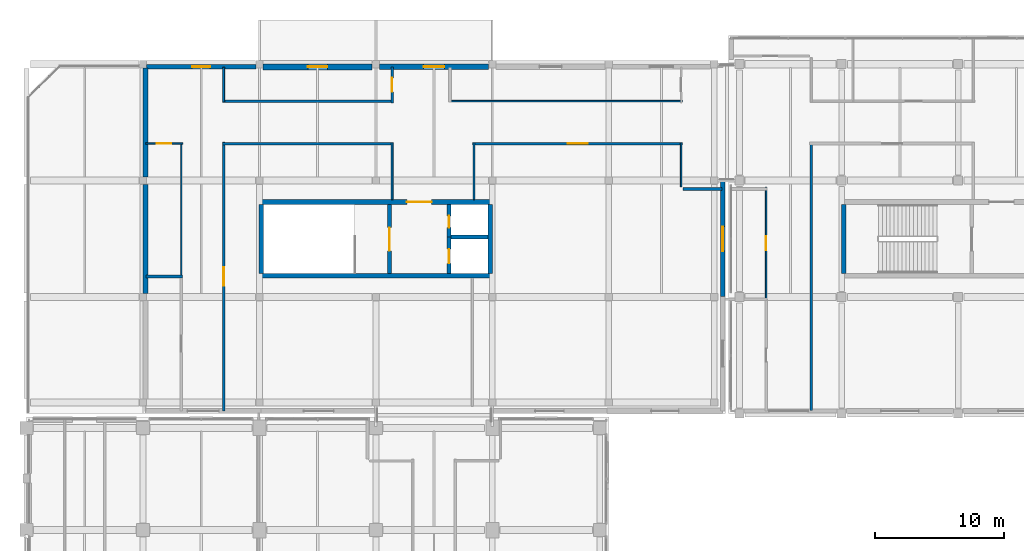
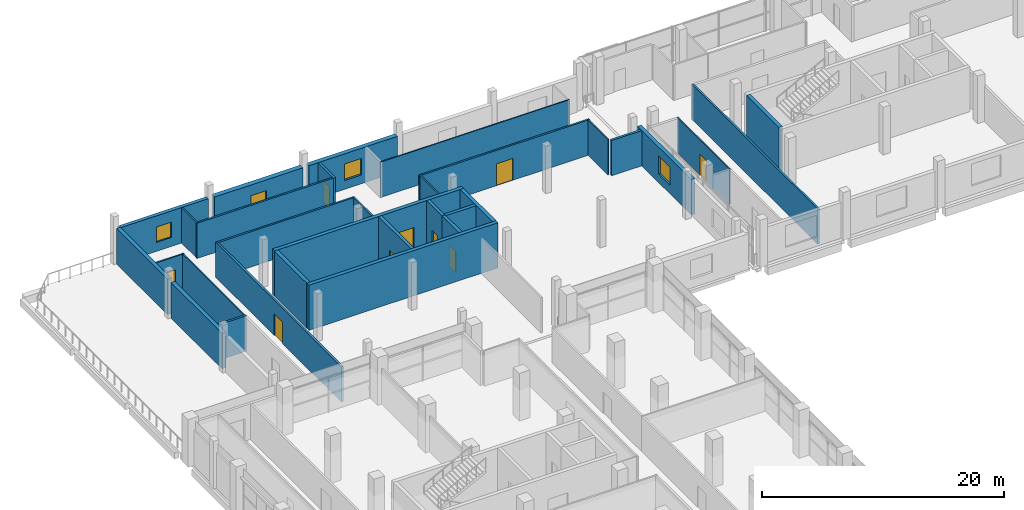
# One storey, part 82 of 111: 31 walls, 9 doors, 4 windows, 13 openings.
"""IFC4 building model written with IfcOpenShell, lengths in metres."""

from ifc_helpers import new_model, si_unit, direction, frame, frame_2d, origin, place, context, subcontext, project, spatial, rectangle, extrude, material, layer, layer_set, type_object, element, fill, save


model = new_model("IFC4")

# Units and contexts
model_context = context("Model", 3, precision=1e-05, world=origin(), true_north=direction((0.0, 1.0)))
body_context = subcontext(model_context, "Body", "Model", "MODEL_VIEW")
ifc_project = project(units=[si_unit("LENGTHUNIT", "METRE"), si_unit("AREAUNIT", "SQUARE_METRE"), si_unit("VOLUMEUNIT", "CUBIC_METRE"), si_unit("PLANEANGLEUNIT", "RADIAN"), si_unit("MASSUNIT", "GRAM", prefix="KILO"), si_unit("THERMODYNAMICTEMPERATUREUNIT", "KELVIN"), si_unit("POWERUNIT", "WATT")], contexts=[model_context])

# Site, building, storey
site_placement = place(None, origin())
site = spatial("IfcSite", under=ifc_project, at=site_placement, CompositionType="ELEMENT")
building_placement = place(site_placement, origin())
building = spatial("IfcBuilding", under=site, at=building_placement, Name="Sindhuravela Promenade Stadium", CompositionType="ELEMENT")
storey_placement = place(building_placement, frame((0.0, 0.0, 9.60009765625)))
storey = spatial("IfcBuildingStorey", under=building, at=storey_placement, Name="L02", CompositionType="ELEMENT", Elevation=9.60009765625)

# Wall, opening, window
ifc_material_1 = material(Name="Terracotta clay brick masonry (15 MPa)", Category="masonry")
ifc_layer_1 = layer(ifc_material_1, 0.340087890625)
ifc_layer_set_1 = layer_set([ifc_layer_1], Name="Terracotta clay brick masonry (15 MPa)")
wall_type_1 = type_object("IfcWallType", Name="EX-WL-BRK340", PredefinedType="SOLIDWALL", material=ifc_layer_set_1)
wall_1_placement = place(storey_placement, frame((9.280029296875, 152.800048828125, 0.0), z_axis=(0.0, 0.0, 1.0), x_axis=(1.0, 0.0, 0.0)))
wall_1 = element("IfcWall", 1, at=wall_1_placement, inside=storey, type_object=wall_type_1, Name="Exterior masonry wall EW06 Pavilion NW L02", PredefinedType="SOLIDWALL", context=body_context, shape_type="SweptSolid", body=[
    extrude(rectangle(XDim=8.43994140625, YDim=0.340087890625, at=frame_2d((4.219970703125, 0.0))), origin(), (0.0, 0.0, 1.0), 3.579833984375),
])
opening_1_placement = place(wall_1_placement, frame((3.52001953125, 0.0, 0.89990234375)))
opening_1 = element("IfcOpeningElement", 2, at=opening_1_placement, cuts=wall_1, Name="Opening W04", PredefinedType="OPENING", context=body_context, shape_type="SweptSolid", body=[
    extrude(rectangle(XDim=1.39990234375, YDim=1.550048828125, at=frame_2d((0.699951171875, 0.77490234375))), frame((0.0, 0.179931640625, 0.0), z_axis=(0.0, -1.0, 0.0), x_axis=(1.0, 0.0, 0.0)), (0.0, 0.0, 1.0), 0.360107421875),
])
ifc_material_2 = material(Name="Tempered laminated low-E glass", Category="glass")
window_type_1 = type_object("IfcWindowType", Name="WN-FAC-1400x1550", PartitioningType="SINGLE_PANEL", PredefinedType="WINDOW", material=ifc_material_2)
window_1_placement = place(opening_1_placement, origin())
window_1 = element("IfcWindow", 3, at=window_1_placement, inside=storey, type_object=window_type_1, Name="Window W04 Pavilion NW L02", OverallHeight=1.550048828125, OverallWidth=1.39990234375, PartitioningType="SINGLE_PANEL", PredefinedType="WINDOW", context=body_context, shape_type="SweptSolid", body=[
    extrude(rectangle(XDim=1.39990234375, YDim=1.550048828125, at=frame_2d((0.699951171875, 0.77490234375))), frame((0.0, 0.030029296875, 0.0), z_axis=(0.0, -1.0, 0.0), x_axis=(1.0, 0.0, 0.0)), (0.0, 0.0, 1.0), 0.06005859375),
])
fill(opening_1, window_1)

# Wall
ifc_layer_2 = layer(ifc_material_1, 0.360107421875)
ifc_layer_set_2 = layer_set([ifc_layer_2], Name="Terracotta clay brick masonry (15 MPa)")
wall_type_2 = type_object("IfcWallType", Name="EX-WL-BRK360", PredefinedType="SOLIDWALL", material=ifc_layer_set_2)
wall_2_placement = place(storey_placement, frame((9.199951171875, 144.280029296875, 0.0), z_axis=(0.0, 0.0, 1.0), x_axis=(0.0, 1.0, 0.0)))
element("IfcWall", 4, at=wall_2_placement, inside=storey, type_object=wall_type_2, Name="Exterior masonry wall EW05 Pavilion NW L02", PredefinedType="SOLIDWALL", context=body_context, shape_type="SweptSolid", body=[
    extrude(rectangle(XDim=8.43994140625, YDim=0.360107421875, at=frame_2d((4.219970703125, 0.0))), origin(), (0.0, 0.0, 1.0), 3.579833984375),
])

# Wall, opening, window
wall_3_placement = place(storey_placement, frame((53.800048828125, 143.933349609375, 0.0), z_axis=(0.0, 0.0, 1.0), x_axis=(0.0, -1.0, 0.0)))
wall_3 = element("IfcWall", 5, at=wall_3_placement, inside=storey, type_object=wall_type_2, Name="Exterior masonry wall EW05 Pavilion NW L02", PredefinedType="SOLIDWALL", context=body_context, shape_type="SweptSolid", body=[
    extrude(rectangle(XDim=8.86669921875, YDim=0.360107421875, at=frame_2d((4.433349609375, 0.0))), origin(), (0.0, 0.0, 1.0), 3.579833984375),
])
opening_2_placement = place(wall_3_placement, frame((3.4833984375, 0.0, 0.89990234375)))
opening_2 = element("IfcOpeningElement", 6, at=opening_2_placement, cuts=wall_3, Name="Opening W09", PredefinedType="OPENING", context=body_context, shape_type="SweptSolid", body=[
    extrude(rectangle(XDim=1.89990234375, YDim=1.800048828125, at=frame_2d((0.949951171875, 0.89990234375))), frame((0.0, 0.18994140625, 0.0), z_axis=(0.0, -1.0, 0.0), x_axis=(1.0, 0.0, 0.0)), (0.0, 0.0, 1.0), 0.380126953125),
])
window_type_2 = type_object("IfcWindowType", Name="WN-FAC-1900x1800", PartitioningType="DOUBLE_PANEL_VERTICAL", PredefinedType="WINDOW", material=ifc_material_2)
window_2_placement = place(opening_2_placement, origin())
window_2 = element("IfcWindow", 7, at=window_2_placement, inside=storey, type_object=window_type_2, Name="Window W09 Pavilion NW L02", OverallHeight=1.800048828125, OverallWidth=1.89990234375, PartitioningType="DOUBLE_PANEL_VERTICAL", PredefinedType="WINDOW", context=body_context, shape_type="SweptSolid", body=[
    extrude(rectangle(XDim=1.89990234375, YDim=1.800048828125, at=frame_2d((0.949951171875, 0.89990234375))), frame((0.0, 0.030029296875, 0.0), z_axis=(0.0, -1.0, 0.0), x_axis=(1.0, 0.0, 0.0)), (0.0, 0.0, 1.0), 0.06005859375),
])
fill(opening_2, window_2)

# Wall
ifc_layer_3 = layer(ifc_material_1, 0.3798828125)
ifc_layer_set_3 = layer_set([ifc_layer_3], Name="Terracotta clay brick masonry (15 MPa)")
wall_type_3 = type_object("IfcWallType", Name="EX-WL-BRK380", PredefinedType="SOLIDWALL", material=ifc_layer_set_3)
wall_4_placement = place(storey_placement, frame((9.199951171875, 135.280029296875, 0.0), z_axis=(0.0, 0.0, 1.0), x_axis=(0.0, 1.0, 0.0)))
element("IfcWall", 8, at=wall_4_placement, inside=storey, type_object=wall_type_3, Name="Exterior masonry wall EW04 Pavilion NW L02", PredefinedType="SOLIDWALL", context=body_context, shape_type="SweptSolid", body=[
    extrude(rectangle(XDim=8.43994140625, YDim=0.3798828125, at=frame_2d((4.219970703125, 0.0))), origin(), (0.0, 0.0, 1.0), 3.579833984375),
])

# Wall, opening, window
ifc_layer_4 = layer(ifc_material_1, 0.419921875)
ifc_layer_set_4 = layer_set([ifc_layer_4], Name="Terracotta clay brick masonry (15 MPa)")
wall_type_4 = type_object("IfcWallType", Name="EX-WL-BRK420", PredefinedType="SOLIDWALL", material=ifc_layer_set_4)
wall_5_placement = place(storey_placement, frame((27.280029296875, 152.800048828125, 0.0), z_axis=(0.0, 0.0, 1.0), x_axis=(1.0, 0.0, 0.0)))
wall_5 = element("IfcWall", 9, at=wall_5_placement, inside=storey, type_object=wall_type_4, Name="Exterior masonry wall EW02 Pavilion NW L02", PredefinedType="SOLIDWALL", context=body_context, shape_type="SweptSolid", body=[
    extrude(rectangle(XDim=8.43994140625, YDim=0.419921875, at=frame_2d((4.219970703125, 0.0))), origin(), (0.0, 0.0, 1.0), 3.579833984375),
])
opening_3_placement = place(wall_5_placement, frame((3.419921875, 0.0, 0.89990234375)))
opening_3 = element("IfcOpeningElement", 10, at=opening_3_placement, cuts=wall_5, Name="Opening W06", PredefinedType="OPENING", context=body_context, shape_type="SweptSolid", body=[
    extrude(rectangle(XDim=1.60009765625, YDim=1.64990234375, at=frame_2d((0.800048828125, 0.824951171875))), frame((0.0, 0.219970703125, 0.0), z_axis=(0.0, -1.0, 0.0), x_axis=(1.0, 0.0, 0.0)), (0.0, 0.0, 1.0), 0.43994140625),
])
window_type_3 = type_object("IfcWindowType", Name="WN-FAC-1600x1650", PartitioningType="SINGLE_PANEL", PredefinedType="WINDOW", material=ifc_material_2)
window_3_placement = place(opening_3_placement, origin())
window_3 = element("IfcWindow", 11, at=window_3_placement, inside=storey, type_object=window_type_3, Name="Window W06 Pavilion NW L02", OverallHeight=1.64990234375, OverallWidth=1.60009765625, PartitioningType="SINGLE_PANEL", PredefinedType="WINDOW", context=body_context, shape_type="SweptSolid", body=[
    extrude(rectangle(XDim=1.60009765625, YDim=1.64990234375, at=frame_2d((0.800048828125, 0.824951171875))), frame((0.0, 0.030029296875, 0.0), z_axis=(0.0, -1.0, 0.0), x_axis=(1.0, 0.0, 0.0)), (0.0, 0.0, 1.0), 0.06005859375),
])
fill(opening_3, window_3)

ifc_layer_5 = layer(ifc_material_1, 0.4599609375)
ifc_layer_set_5 = layer_set([ifc_layer_5], Name="Terracotta clay brick masonry (15 MPa)")
wall_type_5 = type_object("IfcWallType", Name="EX-WL-BRK460", PredefinedType="SOLIDWALL", material=ifc_layer_set_5)
wall_6_placement = place(storey_placement, frame((18.280029296875, 152.800048828125, 0.0), z_axis=(0.0, 0.0, 1.0), x_axis=(1.0, 0.0, 0.0)))
wall_6 = element("IfcWall", 12, at=wall_6_placement, inside=storey, type_object=wall_type_5, Name="Exterior masonry wall EW01 Pavilion NW L02", PredefinedType="SOLIDWALL", context=body_context, shape_type="SweptSolid", body=[
    extrude(rectangle(XDim=8.43994140625, YDim=0.4599609375, at=frame_2d((4.219970703125, 0.0))), origin(), (0.0, 0.0, 1.0), 3.579833984375),
])
opening_4_placement = place(wall_6_placement, frame((3.469970703125, 0.0, 0.89990234375)))
opening_4 = element("IfcOpeningElement", 13, at=opening_4_placement, cuts=wall_6, Name="Opening W05", PredefinedType="OPENING", context=body_context, shape_type="SweptSolid", body=[
    extrude(rectangle(XDim=1.5, YDim=1.60009765625, at=frame_2d((0.75, 0.800048828125))), frame((0.0, 0.239990234375, 0.0), z_axis=(0.0, -1.0, 0.0), x_axis=(1.0, 0.0, 0.0)), (0.0, 0.0, 1.0), 0.47998046875),
])
window_type_4 = type_object("IfcWindowType", Name="WN-FAC-1500x1600", PartitioningType="SINGLE_PANEL", PredefinedType="WINDOW", material=ifc_material_2)
window_4_placement = place(opening_4_placement, origin())
window_4 = element("IfcWindow", 14, at=window_4_placement, inside=storey, type_object=window_type_4, Name="Window W05 Pavilion NW L02", OverallHeight=1.60009765625, OverallWidth=1.5, PartitioningType="SINGLE_PANEL", PredefinedType="WINDOW", context=body_context, shape_type="SweptSolid", body=[
    extrude(rectangle(XDim=1.5, YDim=1.60009765625, at=frame_2d((0.75, 0.800048828125))), frame((0.0, 0.030029296875, 0.0), z_axis=(0.0, -1.0, 0.0), x_axis=(1.0, 0.0, 0.0)), (0.0, 0.0, 1.0), 0.06005859375),
])
fill(opening_4, window_4)

# Wall, opening, door
ifc_material_3 = material(Name="Fire-rated gypsum partition board", Category="gypsum")
ifc_layer_6 = layer(ifc_material_3, 0.110107421875)
ifc_layer_set_6 = layer_set([ifc_layer_6], Name="Fire-rated gypsum partition board")
wall_type_6 = type_object("IfcWallType", Name="IN-WL-PAR110", PredefinedType="PARTITIONING", material=ifc_layer_set_6)
wall_7_placement = place(storey_placement, frame((57.159912109375, 134.840087890625, 0.0), z_axis=(0.0, 0.0, 1.0), x_axis=(0.0, 1.0, 0.0)))
wall_7 = element("IfcWall", 15, at=wall_7_placement, inside=storey, type_object=wall_type_6, Name="Corridor partition IW06 North Supporters Concourse Ring 8", PredefinedType="PARTITIONING", context=body_context, shape_type="SweptSolid", body=[
    extrude(rectangle(XDim=8.639892578125, YDim=0.110107421875, at=frame_2d((4.31982421875, 0.0))), origin(), (0.0, 0.0, 1.0), 3.559814453125),
])
opening_5_placement = place(wall_7_placement, frame((3.794921875, 0.0, 0.0)))
opening_5 = element("IfcOpeningElement", 16, at=opening_5_placement, cuts=wall_7, Name="Opening ID07", PredefinedType="OPENING", context=body_context, shape_type="SweptSolid", body=[
    extrude(rectangle(XDim=1.050048828125, YDim=2.10009765625, at=frame_2d((0.52490234375, 1.050048828125))), frame((0.0, 0.06494140625, 0.0), z_axis=(0.0, -1.0, 0.0), x_axis=(1.0, 0.0, 0.0)), (0.0, 0.0, 1.0), 0.130126953125),
])
ifc_material_4 = material(Name="Architectural teak timber leaf", Category="wood")
door_type_1 = type_object("IfcDoorType", Name="DR-INT-1050x2100", OperationType="NOTDEFINED", PredefinedType="DOOR", material=ifc_material_4)
door_1_placement = place(opening_5_placement, origin())
door_1 = element("IfcDoor", 17, at=door_1_placement, inside=storey, type_object=door_type_1, Name="North Supporters Concourse Ring 8 door", OperationType="SINGLE_SWING_RIGHT", OverallHeight=2.10009765625, OverallWidth=1.050048828125, PredefinedType="DOOR", context=body_context, shape_type="SweptSolid", body=[
    extrude(rectangle(XDim=1.050048828125, YDim=2.10009765625, at=frame_2d((0.52490234375, 1.050048828125))), frame((0.0, 0.02490234375, 0.0), z_axis=(0.0, -1.0, 0.0), x_axis=(1.0, 0.0, 0.0)), (0.0, 0.0, 1.0), 0.050048828125),
])
fill(opening_5, door_1)

# Walls
wall_8_placement = place(storey_placement, frame((50.590087890625, 146.93994140625, 0.0), z_axis=(0.0, 0.0, 1.0), x_axis=(0.0, -1.0, 0.0)))
element("IfcWall", 18, at=wall_8_placement, inside=storey, type_object=wall_type_6, Name="Interior partition IW06 Pavilion NW L02", PredefinedType="PARTITIONING", context=body_context, shape_type="SweptSolid", body=[
    extrude(rectangle(XDim=3.419921875, YDim=0.110107421875, at=frame_2d((1.7099609375, 0.0))), origin(), (0.0, 0.0, 1.0), 3.559814453125),
])
wall_9_placement = place(storey_placement, frame((50.669921875, 150.139892578125, 0.0), z_axis=(0.0, 0.0, 1.0), x_axis=(-1.0, 0.0, 0.0)))
element("IfcWall", 19, at=wall_9_placement, inside=storey, type_object=wall_type_6, Name="Interior partition IW06 Pavilion NW L02", PredefinedType="PARTITIONING", context=body_context, shape_type="SweptSolid", body=[
    extrude(rectangle(XDim=18.010009765625, YDim=0.110107421875, at=frame_2d((9.0048828125, 0.0))), origin(), (0.0, 0.0, 1.0), 3.559814453125),
])
wall_10_placement = place(storey_placement, frame((11.9599609375, 146.93994140625, 0.0), z_axis=(0.0, 0.0, 1.0), x_axis=(0.0, -1.0, 0.0)))
element("IfcWall", 20, at=wall_10_placement, inside=storey, type_object=wall_type_6, Name="Interior partition IW06 Pavilion NW L02", PredefinedType="PARTITIONING", context=body_context, shape_type="SweptSolid", body=[
    extrude(rectangle(XDim=10.31005859375, YDim=0.110107421875, at=frame_2d((5.155029296875, 0.0))), origin(), (0.0, 0.0, 1.0), 3.559814453125),
])
ifc_layer_7 = layer(ifc_material_3, 0.1298828125)
ifc_layer_set_7 = layer_set([ifc_layer_7], Name="Fire-rated gypsum partition board")
wall_type_7 = type_object("IfcWallType", Name="IN-WL-PAR130", PredefinedType="PARTITIONING", material=ifc_layer_set_7)
wall_11_placement = place(storey_placement, frame((34.580078125, 142.527099609375, 0.0), z_axis=(0.0, 0.0, 1.0), x_axis=(0.0, 1.0, 0.0)))
element("IfcWall", 21, at=wall_11_placement, inside=storey, type_object=wall_type_7, Name="Interior partition IW05 Pavilion NW L02", PredefinedType="PARTITIONING", context=body_context, shape_type="SweptSolid", body=[
    extrude(rectangle(XDim=4.412841796875, YDim=0.1298828125, at=frame_2d((2.20654296875, 0.0))), origin(), (0.0, 0.0, 1.0), 3.559814453125),
])

# Wall, opening, door
wall_12_placement = place(storey_placement, frame((12.080078125, 146.860107421875, 0.0), z_axis=(0.0, 0.0, 1.0), x_axis=(-1.0, 0.0, 0.0)))
wall_12 = element("IfcWall", 22, at=wall_12_placement, inside=storey, type_object=wall_type_7, Name="Corridor partition IW05 Civic Exhibition Salon NW 3", PredefinedType="PARTITIONING", context=body_context, shape_type="SweptSolid", body=[
    extrude(rectangle(XDim=2.880126953125, YDim=0.1298828125, at=frame_2d((1.43994140625, 0.0))), origin(), (0.0, 0.0, 1.0), 3.559814453125),
])
opening_6_placement = place(wall_12_placement, frame((0.8798828125, 0.0, 0.0)))
opening_6 = element("IfcOpeningElement", 23, at=opening_6_placement, cuts=wall_12, Name="Opening ID13", PredefinedType="OPENING", context=body_context, shape_type="SweptSolid", body=[
    extrude(rectangle(XDim=1.1201171875, YDim=2.219970703125, at=frame_2d((0.56005859375, 1.10986328125))), frame((0.0, 0.074951171875, 0.0), z_axis=(0.0, -1.0, 0.0), x_axis=(1.0, 0.0, 0.0)), (0.0, 0.0, 1.0), 0.14990234375),
])
door_type_2 = type_object("IfcDoorType", Name="DR-INT-1120x2220", OperationType="NOTDEFINED", PredefinedType="DOOR", material=ifc_material_4)
door_2_placement = place(opening_6_placement, origin())
door_2 = element("IfcDoor", 24, at=door_2_placement, inside=storey, type_object=door_type_2, Name="Civic Exhibition Salon NW 3 door", OperationType="SINGLE_SWING_LEFT", OverallHeight=2.219970703125, OverallWidth=1.1201171875, PredefinedType="DOOR", context=body_context, shape_type="SweptSolid", body=[
    extrude(rectangle(XDim=1.1201171875, YDim=2.219970703125, at=frame_2d((0.56005859375, 1.10986328125))), frame((0.0, 0.02490234375, 0.0), z_axis=(0.0, -1.0, 0.0), x_axis=(1.0, 0.0, 0.0)), (0.0, 0.0, 1.0), 0.050048828125),
])
fill(opening_6, door_2)

# Walls
ifc_layer_8 = layer(ifc_material_3, 0.14990234375)
ifc_layer_set_8 = layer_set([ifc_layer_8], Name="Fire-rated gypsum partition board")
wall_type_8 = type_object("IfcWallType", Name="IN-WL-PAR150", PredefinedType="PARTITIONING", material=ifc_layer_set_8)
wall_13_placement = place(storey_placement, frame((28.260009765625, 146.93994140625, 0.0), z_axis=(0.0, 0.0, 1.0), x_axis=(0.0, -1.0, 0.0)))
element("IfcWall", 25, at=wall_13_placement, inside=storey, type_object=wall_type_8, Name="Interior partition IW04 Pavilion NW L02", PredefinedType="PARTITIONING", context=body_context, shape_type="SweptSolid", body=[
    extrude(rectangle(XDim=4.412841796875, YDim=0.14990234375, at=frame_2d((2.20654296875, 0.0))), origin(), (0.0, 0.0, 1.0), 3.559814453125),
])
wall_14_placement = place(storey_placement, frame((15.239990234375, 150.06005859375, 0.0), z_axis=(0.0, 0.0, 1.0), x_axis=(0.0, 1.0, 0.0)))
element("IfcWall", 26, at=wall_14_placement, inside=storey, type_object=wall_type_8, Name="Interior partition IW04 Pavilion NW L02", PredefinedType="PARTITIONING", context=body_context, shape_type="SweptSolid", body=[
    extrude(rectangle(XDim=2.699951171875, YDim=0.14990234375, at=frame_2d((1.35009765625, 0.0))), origin(), (0.0, 0.0, 1.0), 3.559814453125),
])
ifc_layer_9 = layer(ifc_material_3, 0.175048828125)
ifc_layer_set_9 = layer_set([ifc_layer_9], Name="Fire-rated gypsum partition board")
wall_type_9 = type_object("IfcWallType", Name="IN-WL-PAR175", PredefinedType="PARTITIONING", material=ifc_layer_set_9)
wall_15_placement = place(storey_placement, frame((60.639892578125, 126.239990234375, 0.0), z_axis=(0.0, 0.0, 1.0), x_axis=(0.0, 1.0, 0.0)))
element("IfcWall", 27, at=wall_15_placement, inside=storey, type_object=wall_type_9, Name="Interior partition IW03 NORTH L02", PredefinedType="PARTITIONING", context=body_context, shape_type="SweptSolid", body=[
    extrude(rectangle(XDim=20.699951171875, YDim=0.175048828125, at=frame_2d((10.35009765625, 0.0))), origin(), (0.0, 0.0, 1.0), 3.559814453125),
])

# Wall, opening, door
wall_16_placement = place(storey_placement, frame((50.7099609375, 146.860107421875, 0.0), z_axis=(0.0, 0.0, 1.0), x_axis=(-1.0, 0.0, 0.0)))
wall_16 = element("IfcWall", 28, at=wall_16_placement, inside=storey, type_object=wall_type_9, Name="Corridor partition IW03 Pavilion Parkview Club Lounge NW", PredefinedType="PARTITIONING", context=body_context, shape_type="SweptSolid", body=[
    extrude(rectangle(XDim=16.25, YDim=0.175048828125, at=frame_2d((8.125, 0.0))), origin(), (0.0, 0.0, 1.0), 3.559814453125),
])
opening_7_placement = place(wall_16_placement, frame((7.35009765625, 0.0, 0.0)))
opening_7 = element("IfcOpeningElement", 29, at=opening_7_placement, cuts=wall_16, Name="Opening ID02", PredefinedType="OPENING", context=body_context, shape_type="SweptSolid", body=[
    extrude(rectangle(XDim=1.550048828125, YDim=2.199951171875, at=frame_2d((0.77490234375, 1.10009765625))), frame((0.0, 0.097412109375, 0.0), z_axis=(0.0, -1.0, 0.0), x_axis=(1.0, 0.0, 0.0)), (0.0, 0.0, 1.0), 0.195068359375),
])
door_type_3 = type_object("IfcDoorType", Name="DR-INT-1550x2200", OperationType="DOUBLE_DOOR_SINGLE_SWING", PredefinedType="DOOR", material=ifc_material_4)
door_3_placement = place(opening_7_placement, origin())
door_3 = element("IfcDoor", 30, at=door_3_placement, inside=storey, type_object=door_type_3, Name="Pavilion Parkview Club Lounge NW door", OperationType="DOUBLE_DOOR_SINGLE_SWING", OverallHeight=2.199951171875, OverallWidth=1.550048828125, PredefinedType="DOOR", context=body_context, shape_type="SweptSolid", body=[
    extrude(rectangle(XDim=1.550048828125, YDim=2.199951171875, at=frame_2d((0.77490234375, 1.10009765625))), frame((0.0, 0.02490234375, 0.0), z_axis=(0.0, -1.0, 0.0), x_axis=(1.0, 0.0, 0.0)), (0.0, 0.0, 1.0), 0.050048828125),
])
fill(opening_7, door_3)

# Walls
for number, where, z_axis, x_axis, name in (
    (31, (15.159912109375, 146.860107421875, 0.0), (0.0, 0.0, 1.0), (1.0, 0.0, 0.0), "Interior partition IW03 Pavilion NW L02"),
    (32, (28.340087890625, 150.139892578125, 0.0), (0.0, 0.0, 1.0), (-1.0, 0.0, 0.0), "Interior partition IW03 Pavilion NW L02"),
):
    element("IfcWall", number, at=place(storey_placement, frame(where, z_axis=z_axis, x_axis=x_axis)), inside=storey, type_object=wall_type_9, Name=name, PredefinedType="PARTITIONING", context=body_context, shape_type="SweptSolid", body=[
        extrude(rectangle(XDim=13.18017578125, YDim=0.175048828125, at=frame_2d((6.590087890625, 0.0))), origin(), (0.0, 0.0, 1.0), 3.559814453125),
    ])

# Wall, opening, door
ifc_layer_10 = layer(ifc_material_3, 0.195068359375)
ifc_layer_set_10 = layer_set([ifc_layer_10], Name="Fire-rated gypsum partition board")
wall_type_10 = type_object("IfcWallType", Name="IN-WL-PAR195", PredefinedType="PARTITIONING", material=ifc_layer_set_10)
wall_17_placement = place(storey_placement, frame((15.239990234375, 146.97998046875, 0.0), z_axis=(0.0, 0.0, 1.0), x_axis=(0.0, -1.0, 0.0)))
wall_17 = element("IfcWall", 33, at=wall_17_placement, inside=storey, type_object=wall_type_10, Name="Corridor partition IW02 Civic Exhibition Salon NW", PredefinedType="PARTITIONING", context=body_context, shape_type="SweptSolid", body=[
    extrude(rectangle(XDim=20.780029296875, YDim=0.195068359375, at=frame_2d((10.39013671875, 0.0))), origin(), (0.0, 0.0, 1.0), 3.559814453125),
])
opening_8_placement = place(wall_17_placement, frame((9.68994140625, 0.0, 0.0)))
opening_8 = element("IfcOpeningElement", 34, at=opening_8_placement, cuts=wall_17, Name="Opening ID03", PredefinedType="OPENING", context=body_context, shape_type="SweptSolid", body=[
    extrude(rectangle(XDim=1.39990234375, YDim=2.14990234375, at=frame_2d((0.699951171875, 1.074951171875))), frame((0.0, 0.107421875, 0.0), z_axis=(0.0, -1.0, 0.0), x_axis=(1.0, 0.0, 0.0)), (0.0, 0.0, 1.0), 0.215087890625),
])
door_type_4 = type_object("IfcDoorType", Name="DR-INT-1400x2150", OperationType="DOUBLE_DOOR_SINGLE_SWING", PredefinedType="DOOR", material=ifc_material_4)
door_4_placement = place(opening_8_placement, origin())
door_4 = element("IfcDoor", 35, at=door_4_placement, inside=storey, type_object=door_type_4, Name="Civic Exhibition Salon NW door", OperationType="DOUBLE_DOOR_SINGLE_SWING", OverallHeight=2.14990234375, OverallWidth=1.39990234375, PredefinedType="DOOR", context=body_context, shape_type="SweptSolid", body=[
    extrude(rectangle(XDim=1.39990234375, YDim=2.14990234375, at=frame_2d((0.699951171875, 1.074951171875))), frame((0.0, 0.02490234375, 0.0), z_axis=(0.0, -1.0, 0.0), x_axis=(1.0, 0.0, 0.0)), (0.0, 0.0, 1.0), 0.050048828125),
])
fill(opening_8, door_4)

wall_18_placement = place(storey_placement, frame((28.260009765625, 150.02001953125, 0.0), z_axis=(0.0, 0.0, 1.0), x_axis=(0.0, 1.0, 0.0)))
wall_18 = element("IfcWall", 36, at=wall_18_placement, inside=storey, type_object=wall_type_10, Name="Corridor partition IW02 Pavilion Parkview Club Lounge NW 2", PredefinedType="PARTITIONING", context=body_context, shape_type="SweptSolid", body=[
    extrude(rectangle(XDim=2.780029296875, YDim=0.195068359375, at=frame_2d((1.39013671875, 0.0))), origin(), (0.0, 0.0, 1.0), 3.559814453125),
])
opening_9_placement = place(wall_18_placement, frame((0.85009765625, 0.0, 0.0)))
opening_9 = element("IfcOpeningElement", 37, at=opening_9_placement, cuts=wall_18, Name="Opening ID12", PredefinedType="OPENING", context=body_context, shape_type="SweptSolid", body=[
    extrude(rectangle(XDim=1.080078125, YDim=2.179931640625, at=frame_2d((0.5400390625, 1.08984375))), frame((0.0, 0.107421875, 0.0), z_axis=(0.0, -1.0, 0.0), x_axis=(1.0, 0.0, 0.0)), (0.0, 0.0, 1.0), 0.215087890625),
])
door_type_5 = type_object("IfcDoorType", Name="DR-INT-1080x2180", OperationType="NOTDEFINED", PredefinedType="DOOR", material=ifc_material_4)
door_5_placement = place(opening_9_placement, origin())
door_5 = element("IfcDoor", 38, at=door_5_placement, inside=storey, type_object=door_type_5, Name="Pavilion Parkview Club Lounge NW 2 door", OperationType="SINGLE_SWING_RIGHT", OverallHeight=2.179931640625, OverallWidth=1.080078125, PredefinedType="DOOR", context=body_context, shape_type="SweptSolid", body=[
    extrude(rectangle(XDim=1.080078125, YDim=2.179931640625, at=frame_2d((0.5400390625, 1.08984375))), frame((0.0, 0.02490234375, 0.0), z_axis=(0.0, -1.0, 0.0), x_axis=(1.0, 0.0, 0.0)), (0.0, 0.0, 1.0), 0.050048828125),
])
fill(opening_9, door_5)

# Walls
ifc_layer_11 = layer(ifc_material_3, 0.219970703125)
ifc_layer_set_11 = layer_set([ifc_layer_11], Name="Fire-rated gypsum partition board")
wall_type_11 = type_object("IfcWallType", Name="IN-WL-PAR220", PredefinedType="PARTITIONING", material=ifc_layer_set_11)
wall_19_placement = place(storey_placement, frame((50.75, 143.360107421875, 0.0), z_axis=(0.0, 0.0, 1.0), x_axis=(1.0, 0.0, 0.0)))
element("IfcWall", 39, at=wall_19_placement, inside=storey, type_object=wall_type_11, Name="Interior partition IW01 Pavilion NW L02", PredefinedType="PARTITIONING", context=body_context, shape_type="SweptSolid", body=[
    extrude(rectangle(XDim=3.010009765625, YDim=0.219970703125, at=frame_2d((1.5048828125, 0.0))), origin(), (0.0, 0.0, 1.0), 3.559814453125),
])
wall_20_placement = place(storey_placement, frame((12.0400390625, 136.590087890625, 0.0), z_axis=(0.0, 0.0, 1.0), x_axis=(-1.0, 0.0, 0.0)))
element("IfcWall", 40, at=wall_20_placement, inside=storey, type_object=wall_type_11, Name="Interior partition IW01 Pavilion NW L02", PredefinedType="PARTITIONING", context=body_context, shape_type="SweptSolid", body=[
    extrude(rectangle(XDim=2.800048828125, YDim=0.219970703125, at=frame_2d((1.39990234375, 0.0))), origin(), (0.0, 0.0, 1.0), 3.559814453125),
])

# Wall, opening, door
ifc_material_5 = material(Name="Concrete M50", Category="concrete")
ifc_layer_12 = layer(ifc_material_5, 0.300048828125)
ifc_layer_set_12 = layer_set([ifc_layer_12], Name="Concrete M50")
wall_type_12 = type_object("IfcWallType", Name="RC-SW-300", PredefinedType="SHEAR", material=ifc_layer_set_12)
wall_21_placement = place(storey_placement, frame((28.050048828125, 136.824951171875, 0.0), z_axis=(0.0, 0.0, 1.0), x_axis=(0.0, 1.0, 0.0)))
wall_21 = element("IfcWall", 41, at=wall_21_placement, inside=storey, type_object=wall_type_12, Name="Core shear wall C15-ST (L02)", PredefinedType="SHEAR", context=body_context, shape_type="SweptSolid", body=[
    extrude(rectangle(XDim=5.35009765625, YDim=0.300048828125, at=frame_2d((2.675048828125, 0.0))), origin(), (0.0, 0.0, 1.0), 4.554931640625),
])
opening_10_placement = place(wall_21_placement, frame((1.75, 0.0, 0.0)))
opening_10 = element("IfcOpeningElement", 42, at=opening_10_placement, cuts=wall_21, Name="Opening FD01", PredefinedType="OPENING", context=body_context, shape_type="SweptSolid", body=[
    extrude(rectangle(XDim=1.800048828125, YDim=2.25, at=frame_2d((0.89990234375, 1.125))), frame((0.0, 0.159912109375, 0.0), z_axis=(0.0, -1.0, 0.0), x_axis=(1.0, 0.0, 0.0)), (0.0, 0.0, 1.0), 0.320068359375),
])
ifc_material_6 = material(Name="Architectural wrought steel E350", Category="steel")
door_type_6 = type_object("IfcDoorType", Name="DR-CORE-1800x2250", OperationType="DOUBLE_DOOR_SINGLE_SWING", PredefinedType="DOOR", material=ifc_material_6)
door_6_placement = place(opening_10_placement, origin())
door_6 = element("IfcDoor", 43, at=door_6_placement, inside=storey, type_object=door_type_6, Name="Stair GS03 lobby fire door (L02)", OperationType="DOUBLE_DOOR_SINGLE_SWING", OverallHeight=2.25, OverallWidth=1.800048828125, PredefinedType="DOOR", context=body_context, shape_type="SweptSolid", body=[
    extrude(rectangle(XDim=1.800048828125, YDim=2.25, at=frame_2d((0.89990234375, 1.125))), frame((0.0, 0.02490234375, 0.0), z_axis=(0.0, -1.0, 0.0), x_axis=(1.0, 0.0, 0.0)), (0.0, 0.0, 1.0), 0.050048828125),
])
fill(opening_10, door_6)

wall_22_placement = place(storey_placement, frame((32.64990234375, 136.824951171875, 0.0), z_axis=(0.0, 0.0, 1.0), x_axis=(0.0, 1.0, 0.0)))
wall_22 = element("IfcWall", 44, at=wall_22_placement, inside=storey, type_object=wall_type_12, Name="Core shear wall C15-LFT (L02)", PredefinedType="SHEAR", context=body_context, shape_type="SweptSolid", body=[
    extrude(rectangle(XDim=2.824951171875, YDim=0.300048828125, at=frame_2d((1.41259765625, 0.0))), origin(), (0.0, 0.0, 1.0), 4.554931640625),
])
opening_11_placement = place(wall_22_placement, frame((0.77490234375, 0.0, 0.0)))
opening_11 = element("IfcOpeningElement", 45, at=opening_11_placement, cuts=wall_22, Name="Opening LD", PredefinedType="OPENING", context=body_context, shape_type="SweptSolid", body=[
    extrude(rectangle(XDim=1.10009765625, YDim=2.10009765625, at=frame_2d((0.550048828125, 1.050048828125))), frame((0.0, 0.159912109375, 0.0), z_axis=(0.0, -1.0, 0.0), x_axis=(1.0, 0.0, 0.0)), (0.0, 0.0, 1.0), 0.320068359375),
])
door_type_7 = type_object("IfcDoorType", Name="DR-LFT-1100x2100", OperationType="DOUBLE_DOOR_SLIDING", PredefinedType="DOOR", material=ifc_material_6)
door_7_placement = place(opening_11_placement, origin())
door_7 = element("IfcDoor", 46, at=door_7_placement, inside=storey, type_object=door_type_7, Name="Lift PL07 landing door (L02)", OperationType="DOUBLE_DOOR_SLIDING", OverallHeight=2.10009765625, OverallWidth=1.10009765625, PredefinedType="DOOR", context=body_context, shape_type="SweptSolid", body=[
    extrude(rectangle(XDim=1.10009765625, YDim=2.10009765625, at=frame_2d((0.550048828125, 1.050048828125))), frame((0.0, 0.02490234375, 0.0), z_axis=(0.0, -1.0, 0.0), x_axis=(1.0, 0.0, 0.0)), (0.0, 0.0, 1.0), 0.050048828125),
])
fill(opening_11, door_7)

wall_23_placement = place(storey_placement, frame((32.64990234375, 139.64990234375, 0.0), z_axis=(0.0, 0.0, 1.0), x_axis=(0.0, 1.0, 0.0)))
wall_23 = element("IfcWall", 47, at=wall_23_placement, inside=storey, type_object=wall_type_12, Name="Core shear wall C15-RSR (L02)", PredefinedType="SHEAR", context=body_context, shape_type="SweptSolid", body=[
    extrude(rectangle(XDim=2.525146484375, YDim=0.300048828125, at=frame_2d((1.2626953125, 0.0))), origin(), (0.0, 0.0, 1.0), 4.554931640625),
])
opening_12_placement = place(wall_23_placement, frame((0.72509765625, 0.0, 0.0)))
opening_12 = element("IfcOpeningElement", 48, at=opening_12_placement, cuts=wall_23, Name="Opening FD03", PredefinedType="OPENING", context=body_context, shape_type="SweptSolid", body=[
    extrude(rectangle(XDim=0.89990234375, YDim=2.10009765625, at=frame_2d((0.449951171875, 1.050048828125))), frame((0.0, 0.159912109375, 0.0), z_axis=(0.0, -1.0, 0.0), x_axis=(1.0, 0.0, 0.0)), (0.0, 0.0, 1.0), 0.320068359375),
])
door_type_8 = type_object("IfcDoorType", Name="DR-RSR-900x2100", OperationType="NOTDEFINED", PredefinedType="DOOR", material=ifc_material_6)
door_8_placement = place(opening_12_placement, origin())
door_8 = element("IfcDoor", 49, at=door_8_placement, inside=storey, type_object=door_type_8, Name="Riser shaft access door C15 (L02)", OperationType="SINGLE_SWING_LEFT", OverallHeight=2.10009765625, OverallWidth=0.89990234375, PredefinedType="DOOR", context=body_context, shape_type="SweptSolid", body=[
    extrude(rectangle(XDim=0.89990234375, YDim=2.10009765625, at=frame_2d((0.449951171875, 1.050048828125))), frame((0.0, 0.02490234375, 0.0), z_axis=(0.0, -1.0, 0.0), x_axis=(1.0, 0.0, 0.0)), (0.0, 0.0, 1.0), 0.050048828125),
])
fill(opening_12, door_8)

# Walls
wall_24_placement = place(storey_placement, frame((32.800048828125, 139.64990234375, 0.0), z_axis=(0.0, 0.0, 1.0), x_axis=(1.0, 0.0, 0.0)))
element("IfcWall", 50, at=wall_24_placement, inside=storey, type_object=wall_type_12, Name="Core shear wall C15-DIV (L02)", PredefinedType="SHEAR", context=body_context, shape_type="SweptSolid", body=[
    extrude(rectangle(XDim=2.875, YDim=0.300048828125, at=frame_2d((1.4375, 0.0))), origin(), (0.0, 0.0, 1.0), 4.554931640625),
])
ifc_layer_13 = layer(ifc_material_5, 0.35009765625)
ifc_layer_set_13 = layer_set([ifc_layer_13], Name="Concrete M50")
wall_type_13 = type_object("IfcWallType", Name="RC-SW-350", PredefinedType="SHEAR", material=ifc_layer_set_13)
wall_25_placement = place(storey_placement, frame((63.14990234375, 142.175048828125, 0.0), z_axis=(0.0, 0.0, 1.0), x_axis=(0.0, -1.0, 0.0)))
element("IfcWall", 51, at=wall_25_placement, inside=storey, type_object=wall_type_13, Name="Core shear wall C09-W (L02)", PredefinedType="SHEAR", context=body_context, shape_type="SweptSolid", body=[
    extrude(rectangle(XDim=5.35009765625, YDim=0.35009765625, at=frame_2d((2.675048828125, 0.0))), origin(), (0.0, 0.0, 1.0), 4.5),
])
wall_26_placement = place(storey_placement, frame((18.0, 136.64990234375, 0.0), z_axis=(0.0, 0.0, 1.0), x_axis=(1.0, 0.0, 0.0)))
element("IfcWall", 52, at=wall_26_placement, inside=storey, type_object=wall_type_13, Name="Core shear wall C15-S (L02)", PredefinedType="SHEAR", context=body_context, shape_type="SweptSolid", body=[
    extrude(rectangle(XDim=18.0, YDim=0.35009765625, at=frame_2d((9.0, 0.0))), origin(), (0.0, 0.0, 1.0), 4.554931640625),
])

# Wall, opening, door
wall_27_placement = place(storey_placement, frame((36.0, 142.35009765625, 0.0), z_axis=(0.0, 0.0, 1.0), x_axis=(-1.0, 0.0, 0.0)))
wall_27 = element("IfcWall", 53, at=wall_27_placement, inside=storey, type_object=wall_type_13, Name="Core shear wall C15-N (L02)", PredefinedType="SHEAR", context=body_context, shape_type="SweptSolid", body=[
    extrude(rectangle(XDim=18.0, YDim=0.35009765625, at=frame_2d((9.0, 0.0))), origin(), (0.0, 0.0, 1.0), 4.554931640625),
])
opening_13_placement = place(wall_27_placement, frame((4.699951171875, 0.0, 0.0)))
opening_13 = element("IfcOpeningElement", 54, at=opening_13_placement, cuts=wall_27, Name="Opening FD02", PredefinedType="OPENING", context=body_context, shape_type="SweptSolid", body=[
    extrude(rectangle(XDim=1.89990234375, YDim=2.25, at=frame_2d((0.949951171875, 1.125))), frame((0.0, 0.18505859375, 0.0), z_axis=(0.0, -1.0, 0.0), x_axis=(1.0, 0.0, 0.0)), (0.0, 0.0, 1.0), 0.3701171875),
])
door_type_9 = type_object("IfcDoorType", Name="DR-LOB-1900x2250", OperationType="DOUBLE_DOOR_SINGLE_SWING", PredefinedType="DOOR", material=ifc_material_6)
door_9_placement = place(opening_13_placement, origin())
door_9 = element("IfcDoor", 55, at=door_9_placement, inside=storey, type_object=door_type_9, Name="Protected lobby entrance door C15 (L02)", OperationType="DOUBLE_DOOR_SINGLE_SWING", OverallHeight=2.25, OverallWidth=1.89990234375, PredefinedType="DOOR", context=body_context, shape_type="SweptSolid", body=[
    extrude(rectangle(XDim=1.89990234375, YDim=2.25, at=frame_2d((0.949951171875, 1.125))), frame((0.0, 0.02490234375, 0.0), z_axis=(0.0, -1.0, 0.0), x_axis=(1.0, 0.0, 0.0)), (0.0, 0.0, 1.0), 0.050048828125),
])
fill(opening_13, door_9)

# Walls
for number, where, z_axis, x_axis, name in (
    (56, (18.14990234375, 142.175048828125, 0.0), (0.0, 0.0, 1.0), (0.0, -1.0, 0.0), "Core shear wall C15-W (L02)"),
    (57, (35.85009765625, 136.824951171875, 0.0), (0.0, 0.0, 1.0), (0.0, 1.0, 0.0), "Core shear wall C15-E (L02)"),
):
    element("IfcWall", number, at=place(storey_placement, frame(where, z_axis=z_axis, x_axis=x_axis)), inside=storey, type_object=wall_type_13, Name=name, PredefinedType="SHEAR", context=body_context, shape_type="SweptSolid", body=[
        extrude(rectangle(XDim=5.35009765625, YDim=0.35009765625, at=frame_2d((2.675048828125, 0.0))), origin(), (0.0, 0.0, 1.0), 4.554931640625),
    ])

save(model, "model.ifc")
